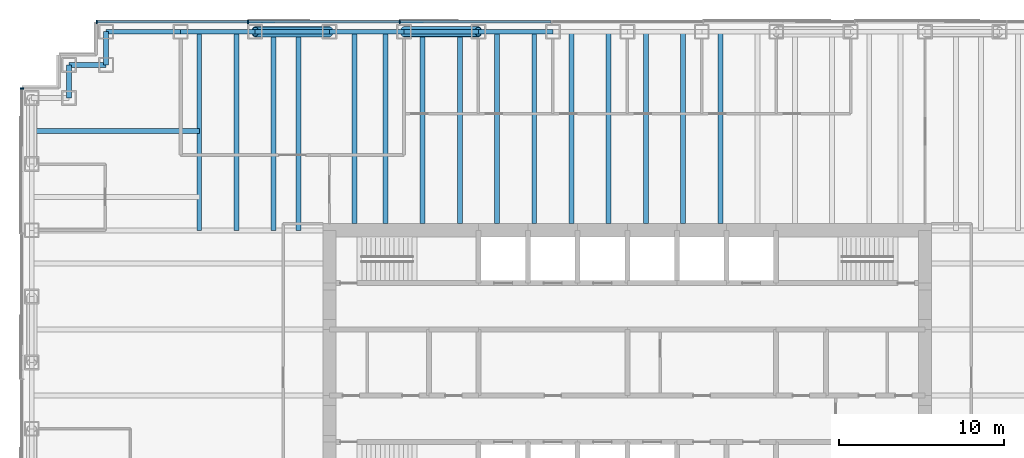
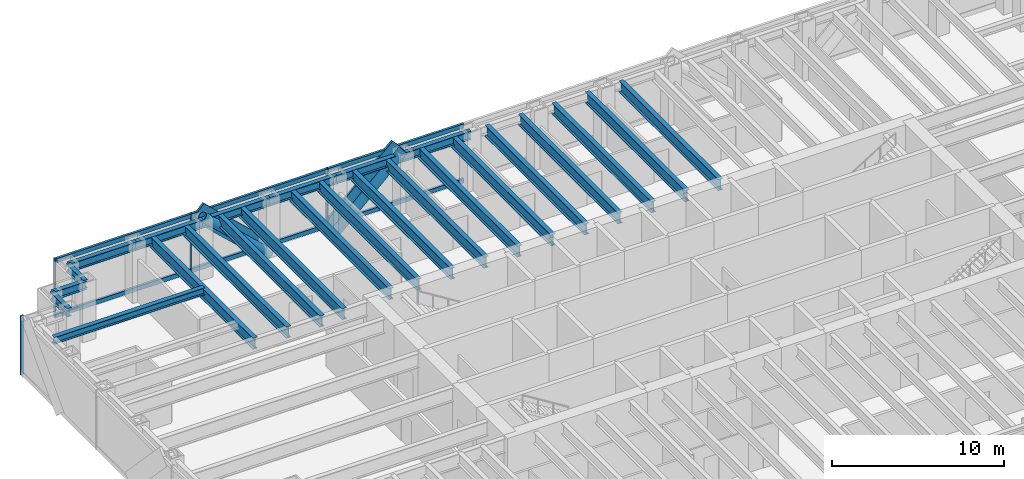
# One storey, part 5 of 14: 25 beams, 14 members, 2 elements without a shape of their own.
"""IFC4 building model written with IfcOpenShell, lengths in metres."""

from ifc_helpers import new_model, si_unit, direction, frame, origin, origin_2d, place, context, subcontext, project, spatial, rectangle, hollow_circle, i_section, extrude, material, material_profile, profile_set, type_object, element, aggregate, save


model = new_model("IFC4")

# Units and contexts
model_context = context("Model", 3, precision=1e-05, world=origin(), true_north=direction((0.0, 1.0)))
body_context = subcontext(model_context, "Body", "Model", "MODEL_VIEW")
ifc_project = project(units=[si_unit("LENGTHUNIT", "METRE"), si_unit("AREAUNIT", "SQUARE_METRE"), si_unit("VOLUMEUNIT", "CUBIC_METRE"), si_unit("PLANEANGLEUNIT", "RADIAN"), si_unit("MASSUNIT", "GRAM", prefix="KILO")], contexts=[model_context])

# Site, building, storey
site_placement = place(None, origin())
site = spatial("IfcSite", under=ifc_project, at=site_placement, CompositionType="ELEMENT")
building_placement = place(site_placement, origin())
building = spatial("IfcBuilding", under=site, at=building_placement, Name="Rheinbord Bourse Tower", CompositionType="ELEMENT")
storey_placement = place(building_placement, frame((0.0, 0.0, 232.0)))
storey = spatial("IfcBuildingStorey", under=building, at=storey_placement, Name="L52", CompositionType="ELEMENT", Elevation=232.0)

# Curtain wall, members
ifc_material_1 = material(Name="Dark glass and black aluminium", Category="aluminium")
curtain_wall_type = type_object("IfcCurtainWallType", Name="CW2 DARK GLASS CURTAIN WALL", PredefinedType="USERDEFINED", material=ifc_material_1)
curtain_wall_1_placement = place(storey_placement, origin())
curtain_wall_1 = element("IfcCurtainWall", 1, at=curtain_wall_1_placement, inside=storey, type_object=curtain_wall_type, Name="Curtain wall CW2 N L52", ObjectType="UNITISED CURTAIN WALL", PredefinedType="USERDEFINED")
ifc_material_2 = material(Name="Black anodised aluminium", Category="aluminium")
ifc_material_profile_1 = material_profile(ifc_material_2, rectangle(XDim=0.159912109375, YDim=1.2099609375, at=origin_2d()), Name="CW2 DIAGONAL MULLION 1210x160")
ifc_profile_set_1 = profile_set([ifc_material_profile_1], Name="Black anodised aluminium")
member_type_1 = type_object("IfcMemberType", Name="CW2 BLACK DIAGONAL MULLION", PredefinedType="USERDEFINED", material=ifc_profile_set_1)
member_1_placement = place(storey_placement, frame((18.0, 44.60009765625, 0.0), z_axis=(-0.73105922506, 0.0, 0.682314010889), x_axis=(0.0, -1.0, 0.0)))
member_1 = element("IfcMember", 2, at=member_1_placement, type_object=member_type_1, Name="CW2 diagonal mullion a", ObjectType="DIAGONAL MULLION", PredefinedType="USERDEFINED", context=body_context, shape_type="SweptSolid", body=[
    extrude(rectangle(XDim=0.159912109375, YDim=1.2099609375, at=origin_2d()), origin(), (0.0, 0.0, 1.0), 6.155517578125),
])
member_2_placement = place(storey_placement, frame((22.5, 44.60009765625, 0.0), z_axis=(0.73105922506, 0.0, 0.682314010889), x_axis=(0.0, 1.0, 0.0)))
member_2 = element("IfcMember", 3, at=member_2_placement, type_object=member_type_1, Name="CW2 diagonal mullion c", ObjectType="DIAGONAL MULLION", PredefinedType="USERDEFINED", context=body_context, shape_type="SweptSolid", body=[
    extrude(rectangle(XDim=0.159912109375, YDim=1.2099609375, at=origin_2d()), origin(), (0.0, 0.0, 1.0), 6.155517578125),
])
ifc_material_3 = material(Name="Black anodised aluminium", Category="aluminium")
ifc_material_profile_2 = material_profile(ifc_material_3, rectangle(XDim=0.219970703125, YDim=0.070068359375, at=origin_2d()), Name="CW2 MULLION 70x220")
ifc_profile_set_2 = profile_set([ifc_material_profile_2], Name="Black anodised aluminium")
member_type_2 = type_object("IfcMemberType", Name="CW2 BLACK MULLION", PredefinedType="MULLION", material=ifc_profile_set_2)
member_3_placement = place(storey_placement, frame((22.242919921875, 44.60009765625, 0.0), z_axis=(0.0, 0.0, 1.0), x_axis=(0.0, -1.0, 0.0)))
member_3 = element("IfcMember", 4, at=member_3_placement, type_object=member_type_2, Name="CW2 mullion 6", PredefinedType="MULLION", context=body_context, shape_type="SweptSolid", body=[
    extrude(rectangle(XDim=0.219970703125, YDim=0.070068359375, at=origin_2d()), origin(), (0.0, 0.0, 1.0), 4.199951171875),
])
member_4_placement = place(storey_placement, frame((13.071533203125, 44.60009765625, 0.0), z_axis=(0.0, 0.0, 1.0), x_axis=(0.0, -1.0, 0.0)))
member_4 = element("IfcMember", 5, at=member_4_placement, type_object=member_type_2, Name="CW2 mullion 7", PredefinedType="MULLION", context=body_context, shape_type="SweptSolid", body=[
    extrude(rectangle(XDim=0.219970703125, YDim=0.070068359375, at=origin_2d()), origin(), (0.0, 0.0, 1.0), 4.199951171875),
])
member_5_placement = place(storey_placement, frame((3.93505859375, 44.60009765625, 0.0), z_axis=(0.0, 0.0, 1.0), x_axis=(0.0, -1.0, 0.0)))
member_5 = element("IfcMember", 6, at=member_5_placement, type_object=member_type_2, Name="CW2 mullion 8", PredefinedType="MULLION", context=body_context, shape_type="SweptSolid", body=[
    extrude(rectangle(XDim=0.219970703125, YDim=0.070068359375, at=origin_2d()), origin(), (0.0, 0.0, 1.0), 4.199951171875),
])

# Curtain wall, member
curtain_wall_2_placement = place(storey_placement, origin())
curtain_wall_2 = element("IfcCurtainWall", 7, at=curtain_wall_2_placement, inside=storey, type_object=curtain_wall_type, Name="Curtain wall CW2 W L52", ObjectType="UNITISED CURTAIN WALL", PredefinedType="USERDEFINED")
member_6_placement = place(storey_placement, frame((-0.60009765625, 40.56494140625, 0.0), z_axis=(0.0, 0.0, 1.0), x_axis=(1.0, 0.0, 0.0)))
member_6 = element("IfcMember", 8, at=member_6_placement, type_object=member_type_2, Name="CW2 mullion 1", PredefinedType="MULLION", context=body_context, shape_type="SweptSolid", body=[
    extrude(rectangle(XDim=0.219970703125, YDim=0.070068359375, at=origin_2d()), origin(), (0.0, 0.0, 1.0), 4.199951171875),
])
aggregate(curtain_wall_2, [member_6])

# Member
ifc_material_4 = material(Name="Black anodised aluminium", Category="aluminium")
ifc_material_profile_3 = material_profile(ifc_material_4, rectangle(XDim=0.159912109375, YDim=0.300048828125, at=origin_2d()), Name="CW2 TRANSOM 300x160")
ifc_profile_set_3 = profile_set([ifc_material_profile_3], Name="Black anodised aluminium")
member_type_3 = type_object("IfcMemberType", Name="CW2 BLACK TRANSOM", PredefinedType="USERDEFINED", material=ifc_profile_set_3)
member_7_placement = place(storey_placement, frame((31.37939453125, 44.60009765625, 0.14990234375), z_axis=(-1.0, 0.0, 0.0), x_axis=(0.0, -1.0, 0.0)))
member_7 = element("IfcMember", 9, at=member_7_placement, type_object=member_type_3, Name="CW2 transom 5.1", ObjectType="TRANSOM", PredefinedType="USERDEFINED", context=body_context, shape_type="SweptSolid", body=[
    extrude(rectangle(XDim=0.159912109375, YDim=0.300048828125, at=origin_2d()), origin(), (0.0, 0.0, 1.0), 9.1015625),
])

member_8_placement = place(storey_placement, frame((31.37939453125, 44.60009765625, 4.050048828125), z_axis=(-1.0, 0.0, 0.0), x_axis=(0.0, -1.0, 0.0)))
member_8 = element("IfcMember", 10, at=member_8_placement, type_object=member_type_3, Name="CW2 transom 5.2", ObjectType="TRANSOM", PredefinedType="USERDEFINED", context=body_context, shape_type="SweptSolid", body=[
    extrude(rectangle(XDim=0.159912109375, YDim=0.300048828125, at=origin_2d()), origin(), (0.0, 0.0, 1.0), 9.1015625),
])

member_9_placement = place(storey_placement, frame((22.207763671875, 44.60009765625, 0.14990234375), z_axis=(-1.0, 0.0, 0.0), x_axis=(0.0, -1.0, 0.0)))
member_9 = element("IfcMember", 11, at=member_9_placement, type_object=member_type_3, Name="CW2 transom 6.1", ObjectType="TRANSOM", PredefinedType="USERDEFINED", context=body_context, shape_type="SweptSolid", body=[
    extrude(rectangle(XDim=0.159912109375, YDim=0.300048828125, at=origin_2d()), origin(), (0.0, 0.0, 1.0), 9.101318359375),
])

member_10_placement = place(storey_placement, frame((22.207763671875, 44.60009765625, 4.050048828125), z_axis=(-1.0, 0.0, 0.0), x_axis=(0.0, -1.0, 0.0)))
member_10 = element("IfcMember", 12, at=member_10_placement, type_object=member_type_3, Name="CW2 transom 6.2", ObjectType="TRANSOM", PredefinedType="USERDEFINED", context=body_context, shape_type="SweptSolid", body=[
    extrude(rectangle(XDim=0.159912109375, YDim=0.300048828125, at=origin_2d()), origin(), (0.0, 0.0, 1.0), 9.101318359375),
])

member_11_placement = place(storey_placement, frame((13.036376953125, 44.60009765625, 0.14990234375), z_axis=(-1.0, 0.0, 0.0), x_axis=(0.0, -1.0, 0.0)))
member_11 = element("IfcMember", 13, at=member_11_placement, type_object=member_type_3, Name="CW2 transom 7.1", ObjectType="TRANSOM", PredefinedType="USERDEFINED", context=body_context, shape_type="SweptSolid", body=[
    extrude(rectangle(XDim=0.159912109375, YDim=0.300048828125, at=origin_2d()), origin(), (0.0, 0.0, 1.0), 9.06640625),
])

member_12_placement = place(storey_placement, frame((13.036376953125, 44.60009765625, 4.050048828125), z_axis=(-1.0, 0.0, 0.0), x_axis=(0.0, -1.0, 0.0)))
member_12 = element("IfcMember", 14, at=member_12_placement, type_object=member_type_3, Name="CW2 transom 7.2", ObjectType="TRANSOM", PredefinedType="USERDEFINED", context=body_context, shape_type="SweptSolid", body=[
    extrude(rectangle(XDim=0.159912109375, YDim=0.300048828125, at=origin_2d()), origin(), (0.0, 0.0, 1.0), 9.06640625),
])

aggregate(curtain_wall_1, [member_3, member_4, member_5, member_7, member_8, member_9, member_10, member_11, member_12, member_1, member_2])

# Beams
ifc_material_5 = material(Name="Steel S460", Category="steel")
ifc_material_profile_4 = material_profile(ifc_material_5, i_section(OverallWidth=0.300048828125, OverallDepth=0.800048828125, WebThickness=0.017578125, FlangeThickness=0.032958984375, at=origin_2d()), Name="HEB 800")
ifc_profile_set_4 = profile_set([ifc_material_profile_4], Name="Steel S460")
beam_type_1 = type_object("IfcBeamType", Name="FLOOR BEAM HEB 800", PredefinedType="BEAM", material=ifc_profile_set_4)
for number, where, z_axis, x_axis, name in (
    (15, (10.125, 44.0, 3.639892578125), (0.0, -1.0, 0.0), (1.0, 0.0, 0.0), "Floor beam N-9a L53"),
    (16, (12.375, 44.0, 3.639892578125), (0.0, -1.0, 0.0), (1.0, 0.0, 0.0), "Floor beam N-9b L53"),
    (17, (14.625, 44.0, 3.639892578125), (0.0, -1.0, 0.0), (1.0, 0.0, 0.0), "Floor beam N-13.5a L53"),
    (18, (16.125, 44.0, 3.639892578125), (0.0, -1.0, 0.0), (1.0, 0.0, 0.0), "Floor beam N-13.5b L53"),
):
    element("IfcBeam", number, at=place(storey_placement, frame(where, z_axis=z_axis, x_axis=x_axis)), inside=storey, type_object=beam_type_1, Name=name, PredefinedType="BEAM", context=body_context, shape_type="SweptSolid", body=[
        extrude(i_section(OverallWidth=0.300048828125, OverallDepth=0.800048828125, WebThickness=0.017578125, FlangeThickness=0.032958984375, at=origin_2d()), origin(), (0.0, 0.0, 1.0), 12.0),
    ])
for number, where, z_axis, x_axis, name in (
    (19, (19.5, 44.0, 3.639892578125), (0.0, -1.0, 0.0), (1.0, 0.0, 0.0), "Floor beam N-18a L53"),
    (20, (21.375, 44.0, 3.639892578125), (0.0, -1.0, 0.0), (1.0, 0.0, 0.0), "Floor beam N-18b L53"),
    (21, (23.625, 44.0, 3.639892578125), (0.0, -1.0, 0.0), (1.0, 0.0, 0.0), "Floor beam N-22.5a L53"),
    (22, (25.875, 44.0, 3.639892578125), (0.0, -1.0, 0.0), (1.0, 0.0, 0.0), "Floor beam N-22.5b L53"),
    (23, (28.125, 44.0, 3.639892578125), (0.0, -1.0, 0.0), (1.0, 0.0, 0.0), "Floor beam N-27a L53"),
    (24, (30.375, 44.0, 3.639892578125), (0.0, -1.0, 0.0), (1.0, 0.0, 0.0), "Floor beam N-27b L53"),
    (25, (32.625, 44.0, 3.639892578125), (0.0, -1.0, 0.0), (1.0, 0.0, 0.0), "Floor beam N-31.5a L53"),
    (26, (34.875, 44.0, 3.639892578125), (0.0, -1.0, 0.0), (1.0, 0.0, 0.0), "Floor beam N-31.5b L53"),
    (27, (37.125, 44.0, 3.639892578125), (0.0, -1.0, 0.0), (1.0, 0.0, 0.0), "Floor beam N-36a L53"),
    (28, (39.375, 44.0, 3.639892578125), (0.0, -1.0, 0.0), (1.0, 0.0, 0.0), "Floor beam N-36b L53"),
    (29, (41.625, 44.0, 3.639892578125), (0.0, -1.0, 0.0), (1.0, 0.0, 0.0), "Floor beam N-40.5a L53"),
):
    element("IfcBeam", number, at=place(storey_placement, frame(where, z_axis=z_axis, x_axis=x_axis)), inside=storey, type_object=beam_type_1, Name=name, PredefinedType="BEAM", context=body_context, shape_type="SweptSolid", body=[
        extrude(i_section(OverallWidth=0.300048828125, OverallDepth=0.800048828125, WebThickness=0.017578125, FlangeThickness=0.032958984375, at=origin_2d()), origin(), (0.0, 0.0, 1.0), 11.60009765625),
    ])

# Members
ifc_material_6 = material(Name="Steel S460", Category="steel")
ifc_material_profile_5 = material_profile(ifc_material_6, hollow_circle(Radius=0.304931640625, WallThickness=0.0400390625, at=origin_2d()), Name="CHS 610x40")
ifc_profile_set_5 = profile_set([ifc_material_profile_5], Name="Steel S460")
member_type_4 = type_object("IfcMemberType", Name="MEGABRACE CHS 610x40", PredefinedType="BRACE", material=ifc_profile_set_5)
for number, where, z_axis, x_axis, name in (
    (30, (18.0, 44.0, 0.0), (-0.73105922506, 0.0, 0.682314010889), (0.0, -1.0, 0.0), "Megabrace N face line a L52"),
    (31, (22.5, 44.0, 0.0), (0.73105922506, 0.0, 0.682314010889), (0.0, 1.0, 0.0), "Megabrace N face line c L52"),
):
    element("IfcMember", number, at=place(storey_placement, frame(where, z_axis=z_axis, x_axis=x_axis)), inside=storey, type_object=member_type_4, Name=name, PredefinedType="BRACE", context=body_context, shape_type="SweptSolid", body=[
        extrude(hollow_circle(Radius=0.304931640625, WallThickness=0.0400390625, at=origin_2d()), origin(), (0.0, 0.0, 1.0), 6.155517578125),
    ])

# Beams
ifc_material_7 = material(Name="Steel S460", Category="steel")
ifc_material_profile_6 = material_profile(ifc_material_7, i_section(OverallWidth=0.300048828125, OverallDepth=0.60009765625, WebThickness=0.015380859375, FlangeThickness=0.030029296875, at=origin_2d()), Name="HEB 600")
ifc_profile_set_6 = profile_set([ifc_material_profile_6], Name="Steel S460")
beam_type_2 = type_object("IfcBeamType", Name="SPANDREL HEB 600", PredefinedType="SPANDREL", material=ifc_profile_set_6)
for number, where, z_axis, x_axis, name in (
    (32, (31.5, 44.0, 3.739990234375), (-1.0, 0.0, 0.0), (0.0, -1.0, 0.0), "Spandrel N-31.5-N-27 under L53"),
    (33, (27.0, 44.0, 3.739990234375), (-1.0, 0.0, 0.0), (0.0, -1.0, 0.0), "Spandrel N-27-N-22.5 under L53"),
    (34, (22.5, 44.0, 3.739990234375), (-1.0, 0.0, 0.0), (0.0, -1.0, 0.0), "Spandrel N-22.5-N-18 under L53"),
    (35, (18.0, 44.0, 3.739990234375), (-1.0, 0.0, 0.0), (0.0, -1.0, 0.0), "Spandrel N-18-N-13.5 under L53"),
    (36, (13.5, 44.0, 3.739990234375), (-1.0, 0.0, 0.0), (0.0, -1.0, 0.0), "Spandrel N-13.5-N-9 under L53"),
    (37, (9.0, 44.0, 3.739990234375), (-1.0, 0.0, 0.0), (0.0, -1.0, 0.0), "Spandrel N-9-NW-E under L53"),
):
    element("IfcBeam", number, at=place(storey_placement, frame(where, z_axis=z_axis, x_axis=x_axis)), inside=storey, type_object=beam_type_2, Name=name, PredefinedType="SPANDREL", context=body_context, shape_type="SweptSolid", body=[
        extrude(i_section(OverallWidth=0.300048828125, OverallDepth=0.60009765625, WebThickness=0.015380859375, FlangeThickness=0.030029296875, at=origin_2d()), origin(), (0.0, 0.0, 1.0), 4.5),
    ])
beam_1_placement = place(storey_placement, frame((4.5, 44.0, 3.739990234375), z_axis=(0.0, -1.0, 0.0), x_axis=(1.0, 0.0, 0.0)))
element("IfcBeam", 38, at=beam_1_placement, inside=storey, type_object=beam_type_2, Name="Spandrel NW-E-NW-D under L53", PredefinedType="SPANDREL", context=body_context, shape_type="SweptSolid", body=[
    extrude(i_section(OverallWidth=0.300048828125, OverallDepth=0.60009765625, WebThickness=0.015380859375, FlangeThickness=0.030029296875, at=origin_2d()), origin(), (0.0, 0.0, 1.0), 2.0),
])
beam_2_placement = place(storey_placement, frame((4.5, 42.0, 3.739990234375), z_axis=(-1.0, 0.0, 0.0), x_axis=(0.0, -1.0, 0.0)))
element("IfcBeam", 39, at=beam_2_placement, inside=storey, type_object=beam_type_2, Name="Spandrel NW-D-NW-C under L53", PredefinedType="SPANDREL", context=body_context, shape_type="SweptSolid", body=[
    extrude(i_section(OverallWidth=0.300048828125, OverallDepth=0.60009765625, WebThickness=0.015380859375, FlangeThickness=0.030029296875, at=origin_2d()), origin(), (0.0, 0.0, 1.0), 2.25),
])
beam_3_placement = place(storey_placement, frame((2.25, 42.0, 3.739990234375), z_axis=(0.0, -1.0, 0.0), x_axis=(1.0, 0.0, 0.0)))
element("IfcBeam", 40, at=beam_3_placement, inside=storey, type_object=beam_type_2, Name="Spandrel NW-C-NW-B under L53", PredefinedType="SPANDREL", context=body_context, shape_type="SweptSolid", body=[
    extrude(i_section(OverallWidth=0.300048828125, OverallDepth=0.60009765625, WebThickness=0.015380859375, FlangeThickness=0.030029296875, at=origin_2d()), origin(), (0.0, 0.0, 1.0), 2.0),
])
ifc_material_8 = material(Name="Steel S460", Category="steel")
ifc_material_profile_7 = material_profile(ifc_material_8, i_section(OverallWidth=0.300048828125, OverallDepth=0.5, WebThickness=0.014404296875, FlangeThickness=0.028076171875, at=origin_2d()), Name="HEB 500")
ifc_profile_set_7 = profile_set([ifc_material_profile_7], Name="Steel S460")
beam_type_3 = type_object("IfcBeamType", Name="TIE BEAM HEB 500", PredefinedType="JOIST", material=ifc_profile_set_7)
beam_4_placement = place(storey_placement, frame((0.0, 38.0, 3.7900390625), z_axis=(1.0, 0.0, 0.0), x_axis=(0.0, 1.0, 0.0)))
element("IfcBeam", 41, at=beam_4_placement, inside=storey, type_object=beam_type_3, Name="Tie west 38 L53", PredefinedType="JOIST", context=body_context, shape_type="SweptSolid", body=[
    extrude(i_section(OverallWidth=0.300048828125, OverallDepth=0.5, WebThickness=0.014404296875, FlangeThickness=0.028076171875, at=origin_2d()), origin(), (0.0, 0.0, 1.0), 10.125),
])

save(model, "model.ifc")
